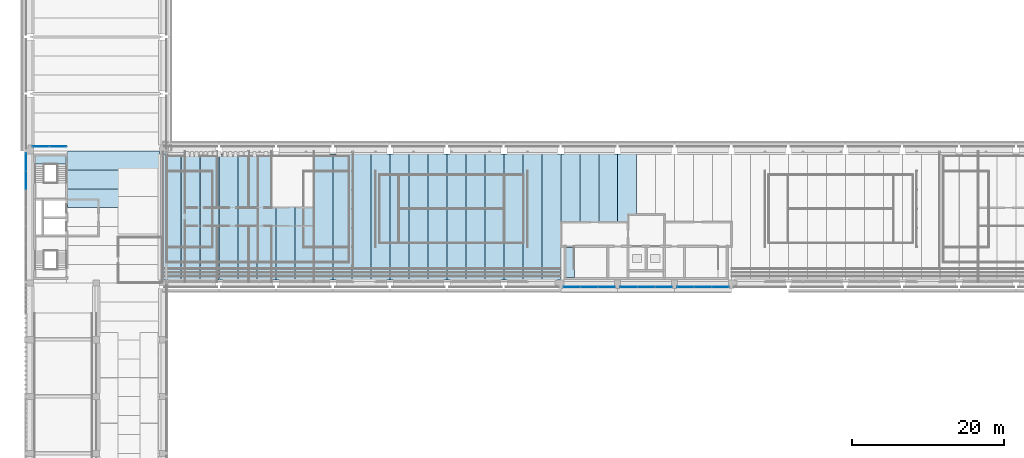
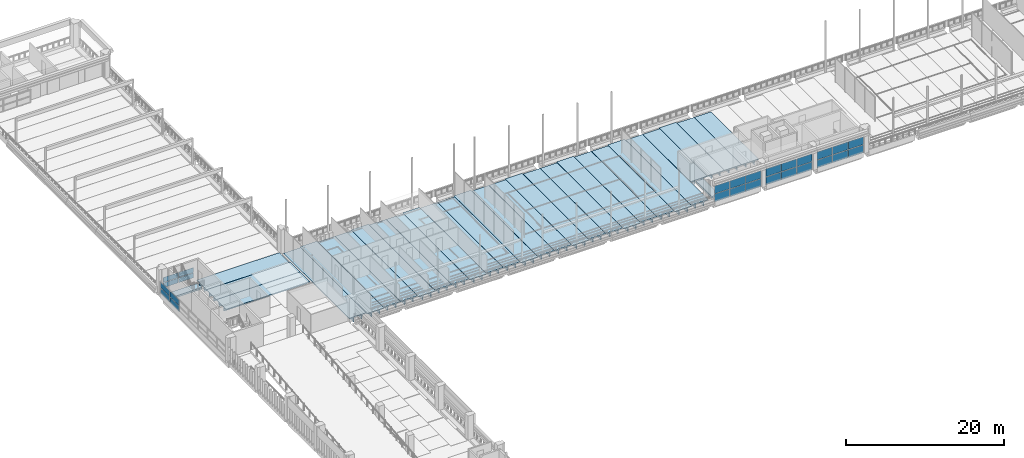
# One storey, part 35 of 62: 30 slabs, 26 plates, 5 elements without a shape of their own.
"""IFC4 building model written with IfcOpenShell, lengths in metres."""

from ifc_helpers import new_model, si_unit, direction, frame, origin, origin_2d, place, context, subcontext, project, spatial, polyline, rectangle, outline, extrude, material, layer, layer_set, material_profile, profile_set, type_object, element, aggregate, save


model = new_model("IFC4")

# Units and contexts
model_context = context("Model", 3, precision=1e-05, world=origin(), true_north=direction((0.0, 1.0)))
body_context = subcontext(model_context, "Body", "Model", "MODEL_VIEW")
ifc_project = project(units=[si_unit("LENGTHUNIT", "METRE"), si_unit("AREAUNIT", "SQUARE_METRE"), si_unit("VOLUMEUNIT", "CUBIC_METRE"), si_unit("PLANEANGLEUNIT", "RADIAN"), si_unit("MASSUNIT", "GRAM", prefix="KILO")], contexts=[model_context])

# Site, building, storey
site_placement = place(None, origin())
site = spatial("IfcSite", under=ifc_project, at=site_placement, CompositionType="ELEMENT")
building_placement = place(site_placement, origin())
building = spatial("IfcBuilding", under=site, at=building_placement, Name="Cour d'Honneur Mobility Palace", CompositionType="ELEMENT")
storey_placement = place(building_placement, frame((0.0, 0.0, 19.300048828125)))
storey = spatial("IfcBuildingStorey", under=building, at=storey_placement, Name="L05", CompositionType="ELEMENT", Elevation=19.300048828125)

# Slabs
ifc_material_1 = material(Name="Concrete C50", Category="concrete")
ifc_layer_1 = layer(ifc_material_1, 0.25)
ifc_layer_set_1 = layer_set([ifc_layer_1], Name="Concrete C50")
slab_type_1 = type_object("IfcSlabType", Name="Cast-in-place Slab 250", PredefinedType="FLOOR", material=ifc_layer_set_1)
slab_1_placement = place(storey_placement, frame((0.0, 0.0, -0.25)))
element("IfcSlab", 1, at=slab_1_placement, inside=storey, type_object=slab_type_1, Name="Cast-in-place slab S1 L05 core", PredefinedType="FLOOR", context=body_context, shape_type="SweptSolid", body=[
    extrude(outline(polyline([(4.675048828125, 60.625), (0.699951171875, 60.625), (0.699951171875, 61.699951171875), (4.675048828125, 61.699951171875), (4.675048828125, 60.625)])), origin(), (0.0, 0.0, 1.0), 0.25),
])
slab_2_placement = place(storey_placement, frame((0.0, 0.0, -0.25)))
element("IfcSlab", 2, at=slab_2_placement, inside=storey, type_object=slab_type_1, Name="Cast-in-place slab S1 L05 core", PredefinedType="FLOOR", context=body_context, shape_type="SweptSolid", body=[
    extrude(outline(polyline([(71.675048828125, 49.675048828125), (71.675048828125, 45.699951171875), (70.60009765625, 45.699951171875), (70.60009765625, 49.675048828125), (71.675048828125, 49.675048828125)])), origin(), (0.0, 0.0, 1.0), 0.25),
])

# Curtain wall, plates
ifc_material_2 = material(Name="Aluminium and glass", Category="aluminium")
ifc_layer_2 = layer(ifc_material_2, 0.10009765625)
ifc_layer_set_2 = layer_set([ifc_layer_2], Name="Aluminium and glass")
curtain_wall_type = type_object("IfcCurtainWallType", Name="Curtain wall run", PredefinedType="NOTDEFINED", material=ifc_layer_set_2)
curtain_wall_1_placement = place(storey_placement, origin())
curtain_wall_1 = element("IfcCurtainWall", 3, at=curtain_wall_1_placement, inside=storey, type_object=curtain_wall_type, Name="Curtain wall CW-84", PredefinedType="NOTDEFINED")
ifc_material_3 = material(Name="Double glazing", Category="glass")
ifc_layer_3 = layer(ifc_material_3, 0.028076171875)
ifc_layer_set_3 = layer_set([ifc_layer_3], Name="Double glazing")
plate_type = type_object("IfcPlateType", Name="Curtain wall panel", PredefinedType="CURTAIN_PANEL", material=ifc_layer_set_3)
plate_1_placement = place(storey_placement, frame((71.364990234375, 44.449951171875, 0.06005859375), z_axis=(0.0, 0.0, 1.0), x_axis=(1.0, 0.0, 0.0)))
plate_1 = element("IfcPlate", 4, at=plate_1_placement, type_object=plate_type, Name="CW-84 panel 1.1", PredefinedType="CURTAIN_PANEL", context=body_context, shape_type="SweptSolid", body=[
    extrude(rectangle(XDim=2.2099609375, YDim=0.028076171875, at=origin_2d()), origin(), (0.0, 0.0, 1.0), 1.2099609375),
])
plate_2_placement = place(storey_placement, frame((71.364990234375, 44.449951171875, 1.330078125), z_axis=(0.0, 0.0, 1.0), x_axis=(1.0, 0.0, 0.0)))
plate_2 = element("IfcPlate", 5, at=plate_2_placement, type_object=plate_type, Name="CW-84 panel 1.2", PredefinedType="CURTAIN_PANEL", context=body_context, shape_type="SweptSolid", body=[
    extrude(rectangle(XDim=2.2099609375, YDim=0.028076171875, at=origin_2d()), origin(), (0.0, 0.0, 1.0), 1.2099609375),
])
plate_3_placement = place(storey_placement, frame((73.64990234375, 44.449951171875, 0.06005859375), z_axis=(0.0, 0.0, 1.0), x_axis=(1.0, 0.0, 0.0)))
plate_3 = element("IfcPlate", 6, at=plate_3_placement, type_object=plate_type, Name="CW-84 panel 2.1", PredefinedType="CURTAIN_PANEL", context=body_context, shape_type="SweptSolid", body=[
    extrude(rectangle(XDim=2.239990234375, YDim=0.028076171875, at=origin_2d()), origin(), (0.0, 0.0, 1.0), 1.2099609375),
])
plate_4_placement = place(storey_placement, frame((73.64990234375, 44.449951171875, 1.330078125), z_axis=(0.0, 0.0, 1.0), x_axis=(1.0, 0.0, 0.0)))
plate_4 = element("IfcPlate", 7, at=plate_4_placement, type_object=plate_type, Name="CW-84 panel 2.2", PredefinedType="CURTAIN_PANEL", context=body_context, shape_type="SweptSolid", body=[
    extrude(rectangle(XDim=2.239990234375, YDim=0.028076171875, at=origin_2d()), origin(), (0.0, 0.0, 1.0), 1.2099609375),
])
plate_5_placement = place(storey_placement, frame((75.93505859375, 44.449951171875, 0.06005859375), z_axis=(0.0, 0.0, 1.0), x_axis=(1.0, 0.0, 0.0)))
plate_5 = element("IfcPlate", 8, at=plate_5_placement, type_object=plate_type, Name="CW-84 panel 3.1", PredefinedType="CURTAIN_PANEL", context=body_context, shape_type="SweptSolid", body=[
    extrude(rectangle(XDim=2.2099609375, YDim=0.028076171875, at=origin_2d()), origin(), (0.0, 0.0, 1.0), 1.2099609375),
])
plate_6_placement = place(storey_placement, frame((75.93505859375, 44.449951171875, 1.330078125), z_axis=(0.0, 0.0, 1.0), x_axis=(1.0, 0.0, 0.0)))
plate_6 = element("IfcPlate", 9, at=plate_6_placement, type_object=plate_type, Name="CW-84 panel 3.2", PredefinedType="CURTAIN_PANEL", context=body_context, shape_type="SweptSolid", body=[
    extrude(rectangle(XDim=2.2099609375, YDim=0.028076171875, at=origin_2d()), origin(), (0.0, 0.0, 1.0), 1.2099609375),
])
aggregate(curtain_wall_1, [plate_1, plate_2, plate_3, plate_4, plate_5, plate_6])

curtain_wall_2_placement = place(storey_placement, origin())
curtain_wall_2 = element("IfcCurtainWall", 10, at=curtain_wall_2_placement, inside=storey, type_object=curtain_wall_type, Name="Curtain wall CW-85", PredefinedType="NOTDEFINED")
plate_7_placement = place(storey_placement, frame((78.864990234375, 44.449951171875, 0.06005859375), z_axis=(0.0, 0.0, 1.0), x_axis=(1.0, 0.0, 0.0)))
plate_7 = element("IfcPlate", 11, at=plate_7_placement, type_object=plate_type, Name="CW-85 panel 1.1", PredefinedType="CURTAIN_PANEL", context=body_context, shape_type="SweptSolid", body=[
    extrude(rectangle(XDim=2.2099609375, YDim=0.028076171875, at=origin_2d()), origin(), (0.0, 0.0, 1.0), 1.2099609375),
])
plate_8_placement = place(storey_placement, frame((78.864990234375, 44.449951171875, 1.330078125), z_axis=(0.0, 0.0, 1.0), x_axis=(1.0, 0.0, 0.0)))
plate_8 = element("IfcPlate", 12, at=plate_8_placement, type_object=plate_type, Name="CW-85 panel 1.2", PredefinedType="CURTAIN_PANEL", context=body_context, shape_type="SweptSolid", body=[
    extrude(rectangle(XDim=2.2099609375, YDim=0.028076171875, at=origin_2d()), origin(), (0.0, 0.0, 1.0), 1.2099609375),
])
plate_9_placement = place(storey_placement, frame((81.14990234375, 44.449951171875, 0.06005859375), z_axis=(0.0, 0.0, 1.0), x_axis=(1.0, 0.0, 0.0)))
plate_9 = element("IfcPlate", 13, at=plate_9_placement, type_object=plate_type, Name="CW-85 panel 2.1", PredefinedType="CURTAIN_PANEL", context=body_context, shape_type="SweptSolid", body=[
    extrude(rectangle(XDim=2.239990234375, YDim=0.028076171875, at=origin_2d()), origin(), (0.0, 0.0, 1.0), 1.2099609375),
])
plate_10_placement = place(storey_placement, frame((81.14990234375, 44.449951171875, 1.330078125), z_axis=(0.0, 0.0, 1.0), x_axis=(1.0, 0.0, 0.0)))
plate_10 = element("IfcPlate", 14, at=plate_10_placement, type_object=plate_type, Name="CW-85 panel 2.2", PredefinedType="CURTAIN_PANEL", context=body_context, shape_type="SweptSolid", body=[
    extrude(rectangle(XDim=2.239990234375, YDim=0.028076171875, at=origin_2d()), origin(), (0.0, 0.0, 1.0), 1.2099609375),
])
plate_11_placement = place(storey_placement, frame((83.43505859375, 44.449951171875, 0.06005859375), z_axis=(0.0, 0.0, 1.0), x_axis=(1.0, 0.0, 0.0)))
plate_11 = element("IfcPlate", 15, at=plate_11_placement, type_object=plate_type, Name="CW-85 panel 3.1", PredefinedType="CURTAIN_PANEL", context=body_context, shape_type="SweptSolid", body=[
    extrude(rectangle(XDim=2.2099609375, YDim=0.028076171875, at=origin_2d()), origin(), (0.0, 0.0, 1.0), 1.2099609375),
])
plate_12_placement = place(storey_placement, frame((83.43505859375, 44.449951171875, 1.330078125), z_axis=(0.0, 0.0, 1.0), x_axis=(1.0, 0.0, 0.0)))
plate_12 = element("IfcPlate", 16, at=plate_12_placement, type_object=plate_type, Name="CW-85 panel 3.2", PredefinedType="CURTAIN_PANEL", context=body_context, shape_type="SweptSolid", body=[
    extrude(rectangle(XDim=2.2099609375, YDim=0.028076171875, at=origin_2d()), origin(), (0.0, 0.0, 1.0), 1.2099609375),
])
aggregate(curtain_wall_2, [plate_7, plate_8, plate_9, plate_10, plate_11, plate_12])

curtain_wall_3_placement = place(storey_placement, origin())
curtain_wall_3 = element("IfcCurtainWall", 17, at=curtain_wall_3_placement, inside=storey, type_object=curtain_wall_type, Name="Curtain wall CW-86", PredefinedType="NOTDEFINED")
plate_13_placement = place(storey_placement, frame((86.364990234375, 44.449951171875, 0.06005859375), z_axis=(0.0, 0.0, 1.0), x_axis=(1.0, 0.0, 0.0)))
plate_13 = element("IfcPlate", 18, at=plate_13_placement, type_object=plate_type, Name="CW-86 panel 1.1", PredefinedType="CURTAIN_PANEL", context=body_context, shape_type="SweptSolid", body=[
    extrude(rectangle(XDim=2.2099609375, YDim=0.028076171875, at=origin_2d()), origin(), (0.0, 0.0, 1.0), 1.2099609375),
])
plate_14_placement = place(storey_placement, frame((86.364990234375, 44.449951171875, 1.330078125), z_axis=(0.0, 0.0, 1.0), x_axis=(1.0, 0.0, 0.0)))
plate_14 = element("IfcPlate", 19, at=plate_14_placement, type_object=plate_type, Name="CW-86 panel 1.2", PredefinedType="CURTAIN_PANEL", context=body_context, shape_type="SweptSolid", body=[
    extrude(rectangle(XDim=2.2099609375, YDim=0.028076171875, at=origin_2d()), origin(), (0.0, 0.0, 1.0), 1.2099609375),
])
plate_15_placement = place(storey_placement, frame((88.64990234375, 44.449951171875, 0.06005859375), z_axis=(0.0, 0.0, 1.0), x_axis=(1.0, 0.0, 0.0)))
plate_15 = element("IfcPlate", 20, at=plate_15_placement, type_object=plate_type, Name="CW-86 panel 2.1", PredefinedType="CURTAIN_PANEL", context=body_context, shape_type="SweptSolid", body=[
    extrude(rectangle(XDim=2.239990234375, YDim=0.028076171875, at=origin_2d()), origin(), (0.0, 0.0, 1.0), 1.2099609375),
])
plate_16_placement = place(storey_placement, frame((88.64990234375, 44.449951171875, 1.330078125), z_axis=(0.0, 0.0, 1.0), x_axis=(1.0, 0.0, 0.0)))
plate_16 = element("IfcPlate", 21, at=plate_16_placement, type_object=plate_type, Name="CW-86 panel 2.2", PredefinedType="CURTAIN_PANEL", context=body_context, shape_type="SweptSolid", body=[
    extrude(rectangle(XDim=2.239990234375, YDim=0.028076171875, at=origin_2d()), origin(), (0.0, 0.0, 1.0), 1.2099609375),
])
plate_17_placement = place(storey_placement, frame((90.93505859375, 44.449951171875, 0.06005859375), z_axis=(0.0, 0.0, 1.0), x_axis=(1.0, 0.0, 0.0)))
plate_17 = element("IfcPlate", 22, at=plate_17_placement, type_object=plate_type, Name="CW-86 panel 3.1", PredefinedType="CURTAIN_PANEL", context=body_context, shape_type="SweptSolid", body=[
    extrude(rectangle(XDim=2.2099609375, YDim=0.028076171875, at=origin_2d()), origin(), (0.0, 0.0, 1.0), 1.2099609375),
])
plate_18_placement = place(storey_placement, frame((90.93505859375, 44.449951171875, 1.330078125), z_axis=(0.0, 0.0, 1.0), x_axis=(1.0, 0.0, 0.0)))
plate_18 = element("IfcPlate", 23, at=plate_18_placement, type_object=plate_type, Name="CW-86 panel 3.2", PredefinedType="CURTAIN_PANEL", context=body_context, shape_type="SweptSolid", body=[
    extrude(rectangle(XDim=2.2099609375, YDim=0.028076171875, at=origin_2d()), origin(), (0.0, 0.0, 1.0), 1.2099609375),
])
aggregate(curtain_wall_3, [plate_13, plate_14, plate_15, plate_16, plate_17, plate_18])

curtain_wall_4_placement = place(storey_placement, origin())
curtain_wall_4 = element("IfcCurtainWall", 24, at=curtain_wall_4_placement, inside=storey, type_object=curtain_wall_type, Name="Curtain wall CW-104", PredefinedType="NOTDEFINED")
plate_19_placement = place(storey_placement, frame((3.659912109375, 62.949951171875, 0.06005859375), z_axis=(0.0, 0.0, 1.0), x_axis=(-1.0, 0.0, 0.0)))
plate_19 = element("IfcPlate", 25, at=plate_19_placement, type_object=plate_type, Name="CW-104 panel 1.1", PredefinedType="CURTAIN_PANEL", context=body_context, shape_type="SweptSolid", body=[
    extrude(rectangle(XDim=2.159912109375, YDim=0.028076171875, at=origin_2d()), origin(), (0.0, 0.0, 1.0), 0.760009765625),
])
plate_20_placement = place(storey_placement, frame((3.659912109375, 62.949951171875, 0.8798828125), z_axis=(0.0, 0.0, 1.0), x_axis=(-1.0, 0.0, 0.0)))
plate_20 = element("IfcPlate", 26, at=plate_20_placement, type_object=plate_type, Name="CW-104 panel 1.2", PredefinedType="CURTAIN_PANEL", context=body_context, shape_type="SweptSolid", body=[
    extrude(rectangle(XDim=2.159912109375, YDim=0.028076171875, at=origin_2d()), origin(), (0.0, 0.0, 1.0), 0.760009765625),
])
plate_21_placement = place(storey_placement, frame((1.43994140625, 62.949951171875, 0.06005859375), z_axis=(0.0, 0.0, 1.0), x_axis=(-1.0, 0.0, 0.0)))
plate_21 = element("IfcPlate", 27, at=plate_21_placement, type_object=plate_type, Name="CW-104 panel 2.1", PredefinedType="CURTAIN_PANEL", context=body_context, shape_type="SweptSolid", body=[
    extrude(rectangle(XDim=2.159912109375, YDim=0.028076171875, at=origin_2d()), origin(), (0.0, 0.0, 1.0), 0.760009765625),
])
plate_22_placement = place(storey_placement, frame((1.43994140625, 62.949951171875, 0.8798828125), z_axis=(0.0, 0.0, 1.0), x_axis=(-1.0, 0.0, 0.0)))
plate_22 = element("IfcPlate", 28, at=plate_22_placement, type_object=plate_type, Name="CW-104 panel 2.2", PredefinedType="CURTAIN_PANEL", context=body_context, shape_type="SweptSolid", body=[
    extrude(rectangle(XDim=2.159912109375, YDim=0.028076171875, at=origin_2d()), origin(), (0.0, 0.0, 1.0), 0.760009765625),
])
aggregate(curtain_wall_4, [plate_19, plate_20, plate_21, plate_22])

curtain_wall_5_placement = place(storey_placement, origin())
curtain_wall_5 = element("IfcCurtainWall", 29, at=curtain_wall_5_placement, inside=storey, type_object=curtain_wall_type, Name="Curtain wall CW-105", PredefinedType="NOTDEFINED")
plate_23_placement = place(storey_placement, frame((-0.550048828125, 60.885009765625, 0.06005859375), z_axis=(0.0, 0.0, 1.0), x_axis=(0.0, -1.0, 0.0)))
plate_23 = element("IfcPlate", 30, at=plate_23_placement, type_object=plate_type, Name="CW-105 panel 1.1", PredefinedType="CURTAIN_PANEL", context=body_context, shape_type="SweptSolid", body=[
    extrude(rectangle(XDim=2.31005859375, YDim=0.028076171875, at=origin_2d()), origin(), (0.0, 0.0, 1.0), 0.860107421875),
])
plate_24_placement = place(storey_placement, frame((-0.550048828125, 60.885009765625, 0.97998046875), z_axis=(0.0, 0.0, 1.0), x_axis=(0.0, -1.0, 0.0)))
plate_24 = element("IfcPlate", 31, at=plate_24_placement, type_object=plate_type, Name="CW-105 panel 1.2", PredefinedType="CURTAIN_PANEL", context=body_context, shape_type="SweptSolid", body=[
    extrude(rectangle(XDim=2.31005859375, YDim=0.028076171875, at=origin_2d()), origin(), (0.0, 0.0, 1.0), 0.860107421875),
])
plate_25_placement = place(storey_placement, frame((-0.550048828125, 58.5, 0.06005859375), z_axis=(0.0, 0.0, 1.0), x_axis=(0.0, -1.0, 0.0)))
plate_25 = element("IfcPlate", 32, at=plate_25_placement, type_object=plate_type, Name="CW-105 panel 2.1", PredefinedType="CURTAIN_PANEL", context=body_context, shape_type="SweptSolid", body=[
    extrude(rectangle(XDim=2.340087890625, YDim=0.028076171875, at=origin_2d()), origin(), (0.0, 0.0, 1.0), 0.860107421875),
])
plate_26_placement = place(storey_placement, frame((-0.550048828125, 58.5, 0.97998046875), z_axis=(0.0, 0.0, 1.0), x_axis=(0.0, -1.0, 0.0)))
plate_26 = element("IfcPlate", 33, at=plate_26_placement, type_object=plate_type, Name="CW-105 panel 2.2", PredefinedType="CURTAIN_PANEL", context=body_context, shape_type="SweptSolid", body=[
    extrude(rectangle(XDim=2.340087890625, YDim=0.028076171875, at=origin_2d()), origin(), (0.0, 0.0, 1.0), 0.860107421875),
])
aggregate(curtain_wall_5, [plate_23, plate_24, plate_25, plate_26])

# Slabs
ifc_material_4 = material(Name="Concrete C45", Category="concrete")
ifc_material_profile_1 = material_profile(ifc_material_4, outline(polyline([(-1.2451171875, 0.0), (1.2451171875, 0.0), (1.2451171875, -0.10009765625), (0.679931640625, -0.10009765625), (0.64990234375, -0.64990234375), (0.550048828125, -0.64990234375), (0.52001953125, -0.10009765625), (-0.52001953125, -0.10009765625), (-0.550048828125, -0.64990234375), (-0.64990234375, -0.64990234375), (-0.679931640625, -0.10009765625), (-1.2451171875, -0.10009765625), (-1.2451171875, 0.0)])), Name="DT 2490x650")
ifc_profile_set_1 = profile_set([ifc_material_profile_1], Name="Concrete C45")
slab_type_2 = type_object("IfcSlabType", Name="DT 2490x650", PredefinedType="FLOOR", material=ifc_profile_set_1)
for number, where, z_axis, x_axis, name in (
    (34, (4.925048828125, 56.14990234375, 0.0), (1.0, 0.0, 0.0), (0.0, 1.0, 0.0), "Double tee DT-JW4 L05"),
    (35, (4.925048828125, 58.64990234375, 0.0), (1.0, 0.0, 0.0), (0.0, 1.0, 0.0), "Double tee DT-JW5 L05"),
):
    element("IfcSlab", number, at=place(storey_placement, frame(where, z_axis=z_axis, x_axis=x_axis)), inside=storey, type_object=slab_type_2, Name=name, PredefinedType="FLOOR", context=body_context, shape_type="SweptSolid", body=[
        extrude(outline(polyline([(-1.2451171875, 0.0), (1.2451171875, 0.0), (1.2451171875, -0.10009765625), (0.679931640625, -0.10009765625), (0.64990234375, -0.64990234375), (0.550048828125, -0.64990234375), (0.52001953125, -0.10009765625), (-0.52001953125, -0.10009765625), (-0.550048828125, -0.64990234375), (-0.64990234375, -0.64990234375), (-0.679931640625, -0.10009765625), (-1.2451171875, -0.10009765625), (-1.2451171875, 0.0)])), origin(), (0.0, 0.0, 1.0), 12.224853515625),
    ])
for number, where, z_axis, x_axis, name in (
    (36, (4.925048828125, 61.14990234375, 0.0), (1.0, 0.0, 0.0), (0.0, 1.0, 0.0), "Double tee DT-JW6 L05"),
    (37, (71.14990234375, 49.925048828125, 0.0), (0.0, 1.0, 0.0), (-1.0, 0.0, 0.0), "Double tee DT-C22 L05"),
):
    element("IfcSlab", number, at=place(storey_placement, frame(where, z_axis=z_axis, x_axis=x_axis)), inside=storey, type_object=slab_type_2, Name=name, PredefinedType="FLOOR", context=body_context, shape_type="SweptSolid", body=[
        extrude(outline(polyline([(-1.2451171875, 0.0), (1.2451171875, 0.0), (1.2451171875, -0.10009765625), (0.679931640625, -0.10009765625), (0.64990234375, -0.64990234375), (0.550048828125, -0.64990234375), (0.52001953125, -0.10009765625), (-0.52001953125, -0.10009765625), (-0.550048828125, -0.64990234375), (-0.64990234375, -0.64990234375), (-0.679931640625, -0.10009765625), (-1.2451171875, -0.10009765625), (-1.2451171875, 0.0)])), origin(), (0.0, 0.0, 1.0), 12.074951171875),
    ])
slab_3_placement = place(storey_placement, frame((73.64990234375, 49.925048828125, 0.0), z_axis=(0.0, 1.0, 0.0), x_axis=(-1.0, 0.0, 0.0)))
element("IfcSlab", 38, at=slab_3_placement, inside=storey, type_object=slab_type_2, Name="Double tee DT-C23 L05", PredefinedType="FLOOR", context=body_context, shape_type="SweptSolid", body=[
    extrude(outline(polyline([(-1.2451171875, 0.0), (1.2451171875, 0.0), (1.2451171875, -0.10009765625), (0.679931640625, -0.10009765625), (0.64990234375, -0.64990234375), (0.550048828125, -0.64990234375), (0.52001953125, -0.10009765625), (-0.52001953125, -0.10009765625), (-0.550048828125, -0.64990234375), (-0.64990234375, -0.64990234375), (-0.679931640625, -0.10009765625), (-1.2451171875, -0.10009765625), (-1.2451171875, 0.0)])), origin(), (0.0, 0.0, 1.0), 12.27490234375),
])
for number, where, z_axis, x_axis, name in (
    (39, (76.14990234375, 49.925048828125, 0.0), (0.0, 1.0, 0.0), (-1.0, 0.0, 0.0), "Double tee DT-C24 L05"),
    (40, (78.64990234375, 49.925048828125, 0.0), (0.0, 1.0, 0.0), (-1.0, 0.0, 0.0), "Double tee DT-C25 L05"),
):
    element("IfcSlab", number, at=place(storey_placement, frame(where, z_axis=z_axis, x_axis=x_axis)), inside=storey, type_object=slab_type_2, Name=name, PredefinedType="FLOOR", context=body_context, shape_type="SweptSolid", body=[
        extrude(outline(polyline([(-1.2451171875, 0.0), (1.2451171875, 0.0), (1.2451171875, -0.10009765625), (0.679931640625, -0.10009765625), (0.64990234375, -0.64990234375), (0.550048828125, -0.64990234375), (0.52001953125, -0.10009765625), (-0.52001953125, -0.10009765625), (-0.550048828125, -0.64990234375), (-0.64990234375, -0.64990234375), (-0.679931640625, -0.10009765625), (-1.2451171875, -0.10009765625), (-1.2451171875, 0.0)])), origin(), (0.0, 0.0, 1.0), 12.074951171875),
    ])
ifc_material_5 = material(Name="Concrete C45", Category="concrete")
ifc_material_profile_2 = material_profile(ifc_material_5, outline(polyline([(-1.2451171875, 0.0), (1.2451171875, 0.0), (1.2451171875, -0.10009765625), (0.679931640625, -0.10009765625), (0.64990234375, -0.75), (0.550048828125, -0.75), (0.52001953125, -0.10009765625), (-0.52001953125, -0.10009765625), (-0.550048828125, -0.75), (-0.64990234375, -0.75), (-0.679931640625, -0.10009765625), (-1.2451171875, -0.10009765625), (-1.2451171875, 0.0)])), Name="DT 2490x750")
ifc_profile_set_2 = profile_set([ifc_material_profile_2], Name="Concrete C45")
slab_type_3 = type_object("IfcSlabType", Name="DT 2490x750", PredefinedType="FLOOR", material=ifc_profile_set_2)
slab_4_placement = place(storey_placement, frame((18.64990234375, 45.39990234375, 0.0), z_axis=(0.0, 1.0, 0.0), x_axis=(-1.0, 0.0, 0.0)))
element("IfcSlab", 41, at=slab_4_placement, inside=storey, type_object=slab_type_3, Name="Double tee DT-C1 L05", PredefinedType="FLOOR", context=body_context, shape_type="SweptSolid", body=[
    extrude(outline(polyline([(-1.2451171875, 0.0), (1.2451171875, 0.0), (1.2451171875, -0.10009765625), (0.679931640625, -0.10009765625), (0.64990234375, -0.75), (0.550048828125, -0.75), (0.52001953125, -0.10009765625), (-0.52001953125, -0.10009765625), (-0.550048828125, -0.75), (-0.64990234375, -0.75), (-0.679931640625, -0.10009765625), (-1.2451171875, -0.10009765625), (-1.2451171875, 0.0)])), origin(), (0.0, 0.0, 1.0), 16.60009765625),
])
slab_5_placement = place(storey_placement, frame((21.14990234375, 45.199951171875, 0.0), z_axis=(0.0, 1.0, 0.0), x_axis=(-1.0, 0.0, 0.0)))
element("IfcSlab", 42, at=slab_5_placement, inside=storey, type_object=slab_type_3, Name="Double tee DT-C2 L05", PredefinedType="FLOOR", context=body_context, shape_type="SweptSolid", body=[
    extrude(outline(polyline([(-1.2451171875, 0.0), (1.2451171875, 0.0), (1.2451171875, -0.10009765625), (0.679931640625, -0.10009765625), (0.64990234375, -0.75), (0.550048828125, -0.75), (0.52001953125, -0.10009765625), (-0.52001953125, -0.10009765625), (-0.550048828125, -0.75), (-0.64990234375, -0.75), (-0.679931640625, -0.10009765625), (-1.2451171875, -0.10009765625), (-1.2451171875, 0.0)])), origin(), (0.0, 0.0, 1.0), 17.0),
])
for number, where, z_axis, x_axis, name in (
    (43, (23.64990234375, 45.39990234375, 0.0), (0.0, 1.0, 0.0), (-1.0, 0.0, 0.0), "Double tee DT-C3 L05"),
    (44, (26.14990234375, 45.39990234375, 0.0), (0.0, 1.0, 0.0), (-1.0, 0.0, 0.0), "Double tee DT-C4 L05"),
):
    element("IfcSlab", number, at=place(storey_placement, frame(where, z_axis=z_axis, x_axis=x_axis)), inside=storey, type_object=slab_type_3, Name=name, PredefinedType="FLOOR", context=body_context, shape_type="SweptSolid", body=[
        extrude(outline(polyline([(-1.2451171875, 0.0), (1.2451171875, 0.0), (1.2451171875, -0.10009765625), (0.679931640625, -0.10009765625), (0.64990234375, -0.75), (0.550048828125, -0.75), (0.52001953125, -0.10009765625), (-0.52001953125, -0.10009765625), (-0.550048828125, -0.75), (-0.64990234375, -0.75), (-0.679931640625, -0.10009765625), (-1.2451171875, -0.10009765625), (-1.2451171875, 0.0)])), origin(), (0.0, 0.0, 1.0), 16.60009765625),
    ])
slab_6_placement = place(storey_placement, frame((28.64990234375, 45.199951171875, 0.0), z_axis=(0.0, 1.0, 0.0), x_axis=(-1.0, 0.0, 0.0)))
element("IfcSlab", 45, at=slab_6_placement, inside=storey, type_object=slab_type_3, Name="Double tee DT-C5 L05", PredefinedType="FLOOR", context=body_context, shape_type="SweptSolid", body=[
    extrude(outline(polyline([(-1.2451171875, 0.0), (1.2451171875, 0.0), (1.2451171875, -0.10009765625), (0.679931640625, -0.10009765625), (0.64990234375, -0.75), (0.550048828125, -0.75), (0.52001953125, -0.10009765625), (-0.52001953125, -0.10009765625), (-0.550048828125, -0.75), (-0.64990234375, -0.75), (-0.679931640625, -0.10009765625), (-1.2451171875, -0.10009765625), (-1.2451171875, 0.0)])), origin(), (0.0, 0.0, 1.0), 17.0),
])
for number, where, z_axis, x_axis, name in (
    (46, (31.14990234375, 45.39990234375, 0.0), (0.0, 1.0, 0.0), (-1.0, 0.0, 0.0), "Double tee DT-C6 L05"),
    (47, (33.64990234375, 45.39990234375, 0.0), (0.0, 1.0, 0.0), (-1.0, 0.0, 0.0), "Double tee DT-C7 L05"),
):
    element("IfcSlab", number, at=place(storey_placement, frame(where, z_axis=z_axis, x_axis=x_axis)), inside=storey, type_object=slab_type_3, Name=name, PredefinedType="FLOOR", context=body_context, shape_type="SweptSolid", body=[
        extrude(outline(polyline([(-1.2451171875, 0.0), (1.2451171875, 0.0), (1.2451171875, -0.10009765625), (0.679931640625, -0.10009765625), (0.64990234375, -0.75), (0.550048828125, -0.75), (0.52001953125, -0.10009765625), (-0.52001953125, -0.10009765625), (-0.550048828125, -0.75), (-0.64990234375, -0.75), (-0.679931640625, -0.10009765625), (-1.2451171875, -0.10009765625), (-1.2451171875, 0.0)])), origin(), (0.0, 0.0, 1.0), 16.60009765625),
    ])
slab_7_placement = place(storey_placement, frame((36.14990234375, 45.199951171875, 0.0), z_axis=(0.0, 1.0, 0.0), x_axis=(-1.0, 0.0, 0.0)))
element("IfcSlab", 48, at=slab_7_placement, inside=storey, type_object=slab_type_3, Name="Double tee DT-C8 L05", PredefinedType="FLOOR", context=body_context, shape_type="SweptSolid", body=[
    extrude(outline(polyline([(-1.2451171875, 0.0), (1.2451171875, 0.0), (1.2451171875, -0.10009765625), (0.679931640625, -0.10009765625), (0.64990234375, -0.75), (0.550048828125, -0.75), (0.52001953125, -0.10009765625), (-0.52001953125, -0.10009765625), (-0.550048828125, -0.75), (-0.64990234375, -0.75), (-0.679931640625, -0.10009765625), (-1.2451171875, -0.10009765625), (-1.2451171875, 0.0)])), origin(), (0.0, 0.0, 1.0), 17.0),
])
for number, where, z_axis, x_axis, name in (
    (49, (38.64990234375, 45.39990234375, 0.0), (0.0, 1.0, 0.0), (-1.0, 0.0, 0.0), "Double tee DT-C9 L05"),
    (50, (41.14990234375, 45.39990234375, 0.0), (0.0, 1.0, 0.0), (-1.0, 0.0, 0.0), "Double tee DT-C10 L05"),
):
    element("IfcSlab", number, at=place(storey_placement, frame(where, z_axis=z_axis, x_axis=x_axis)), inside=storey, type_object=slab_type_3, Name=name, PredefinedType="FLOOR", context=body_context, shape_type="SweptSolid", body=[
        extrude(outline(polyline([(-1.2451171875, 0.0), (1.2451171875, 0.0), (1.2451171875, -0.10009765625), (0.679931640625, -0.10009765625), (0.64990234375, -0.75), (0.550048828125, -0.75), (0.52001953125, -0.10009765625), (-0.52001953125, -0.10009765625), (-0.550048828125, -0.75), (-0.64990234375, -0.75), (-0.679931640625, -0.10009765625), (-1.2451171875, -0.10009765625), (-1.2451171875, 0.0)])), origin(), (0.0, 0.0, 1.0), 16.60009765625),
    ])
slab_8_placement = place(storey_placement, frame((43.64990234375, 45.199951171875, 0.0), z_axis=(0.0, 1.0, 0.0), x_axis=(-1.0, 0.0, 0.0)))
element("IfcSlab", 51, at=slab_8_placement, inside=storey, type_object=slab_type_3, Name="Double tee DT-C11 L05", PredefinedType="FLOOR", context=body_context, shape_type="SweptSolid", body=[
    extrude(outline(polyline([(-1.2451171875, 0.0), (1.2451171875, 0.0), (1.2451171875, -0.10009765625), (0.679931640625, -0.10009765625), (0.64990234375, -0.75), (0.550048828125, -0.75), (0.52001953125, -0.10009765625), (-0.52001953125, -0.10009765625), (-0.550048828125, -0.75), (-0.64990234375, -0.75), (-0.679931640625, -0.10009765625), (-1.2451171875, -0.10009765625), (-1.2451171875, 0.0)])), origin(), (0.0, 0.0, 1.0), 17.0),
])
for number, where, z_axis, x_axis, name in (
    (52, (46.14990234375, 45.39990234375, 0.0), (0.0, 1.0, 0.0), (-1.0, 0.0, 0.0), "Double tee DT-C12 L05"),
    (53, (48.64990234375, 45.39990234375, 0.0), (0.0, 1.0, 0.0), (-1.0, 0.0, 0.0), "Double tee DT-C13 L05"),
):
    element("IfcSlab", number, at=place(storey_placement, frame(where, z_axis=z_axis, x_axis=x_axis)), inside=storey, type_object=slab_type_3, Name=name, PredefinedType="FLOOR", context=body_context, shape_type="SweptSolid", body=[
        extrude(outline(polyline([(-1.2451171875, 0.0), (1.2451171875, 0.0), (1.2451171875, -0.10009765625), (0.679931640625, -0.10009765625), (0.64990234375, -0.75), (0.550048828125, -0.75), (0.52001953125, -0.10009765625), (-0.52001953125, -0.10009765625), (-0.550048828125, -0.75), (-0.64990234375, -0.75), (-0.679931640625, -0.10009765625), (-1.2451171875, -0.10009765625), (-1.2451171875, 0.0)])), origin(), (0.0, 0.0, 1.0), 16.60009765625),
    ])
slab_9_placement = place(storey_placement, frame((51.14990234375, 45.199951171875, 0.0), z_axis=(0.0, 1.0, 0.0), x_axis=(-1.0, 0.0, 0.0)))
element("IfcSlab", 54, at=slab_9_placement, inside=storey, type_object=slab_type_3, Name="Double tee DT-C14 L05", PredefinedType="FLOOR", context=body_context, shape_type="SweptSolid", body=[
    extrude(outline(polyline([(-1.2451171875, 0.0), (1.2451171875, 0.0), (1.2451171875, -0.10009765625), (0.679931640625, -0.10009765625), (0.64990234375, -0.75), (0.550048828125, -0.75), (0.52001953125, -0.10009765625), (-0.52001953125, -0.10009765625), (-0.550048828125, -0.75), (-0.64990234375, -0.75), (-0.679931640625, -0.10009765625), (-1.2451171875, -0.10009765625), (-1.2451171875, 0.0)])), origin(), (0.0, 0.0, 1.0), 17.0),
])
for number, where, z_axis, x_axis, name in (
    (55, (53.64990234375, 45.39990234375, 0.0), (0.0, 1.0, 0.0), (-1.0, 0.0, 0.0), "Double tee DT-C15 L05"),
    (56, (56.14990234375, 45.39990234375, 0.0), (0.0, 1.0, 0.0), (-1.0, 0.0, 0.0), "Double tee DT-C16 L05"),
):
    element("IfcSlab", number, at=place(storey_placement, frame(where, z_axis=z_axis, x_axis=x_axis)), inside=storey, type_object=slab_type_3, Name=name, PredefinedType="FLOOR", context=body_context, shape_type="SweptSolid", body=[
        extrude(outline(polyline([(-1.2451171875, 0.0), (1.2451171875, 0.0), (1.2451171875, -0.10009765625), (0.679931640625, -0.10009765625), (0.64990234375, -0.75), (0.550048828125, -0.75), (0.52001953125, -0.10009765625), (-0.52001953125, -0.10009765625), (-0.550048828125, -0.75), (-0.64990234375, -0.75), (-0.679931640625, -0.10009765625), (-1.2451171875, -0.10009765625), (-1.2451171875, 0.0)])), origin(), (0.0, 0.0, 1.0), 16.60009765625),
    ])
slab_10_placement = place(storey_placement, frame((58.64990234375, 45.199951171875, 0.0), z_axis=(0.0, 1.0, 0.0), x_axis=(-1.0, 0.0, 0.0)))
element("IfcSlab", 57, at=slab_10_placement, inside=storey, type_object=slab_type_3, Name="Double tee DT-C17 L05", PredefinedType="FLOOR", context=body_context, shape_type="SweptSolid", body=[
    extrude(outline(polyline([(-1.2451171875, 0.0), (1.2451171875, 0.0), (1.2451171875, -0.10009765625), (0.679931640625, -0.10009765625), (0.64990234375, -0.75), (0.550048828125, -0.75), (0.52001953125, -0.10009765625), (-0.52001953125, -0.10009765625), (-0.550048828125, -0.75), (-0.64990234375, -0.75), (-0.679931640625, -0.10009765625), (-1.2451171875, -0.10009765625), (-1.2451171875, 0.0)])), origin(), (0.0, 0.0, 1.0), 17.0),
])
for number, where, z_axis, x_axis, name in (
    (58, (61.14990234375, 45.39990234375, 0.0), (0.0, 1.0, 0.0), (-1.0, 0.0, 0.0), "Double tee DT-C18 L05"),
    (59, (63.64990234375, 45.39990234375, 0.0), (0.0, 1.0, 0.0), (-1.0, 0.0, 0.0), "Double tee DT-C19 L05"),
):
    element("IfcSlab", number, at=place(storey_placement, frame(where, z_axis=z_axis, x_axis=x_axis)), inside=storey, type_object=slab_type_3, Name=name, PredefinedType="FLOOR", context=body_context, shape_type="SweptSolid", body=[
        extrude(outline(polyline([(-1.2451171875, 0.0), (1.2451171875, 0.0), (1.2451171875, -0.10009765625), (0.679931640625, -0.10009765625), (0.64990234375, -0.75), (0.550048828125, -0.75), (0.52001953125, -0.10009765625), (-0.52001953125, -0.10009765625), (-0.550048828125, -0.75), (-0.64990234375, -0.75), (-0.679931640625, -0.10009765625), (-1.2451171875, -0.10009765625), (-1.2451171875, 0.0)])), origin(), (0.0, 0.0, 1.0), 16.60009765625),
    ])
slab_11_placement = place(storey_placement, frame((66.14990234375, 45.199951171875, 0.0), z_axis=(0.0, 1.0, 0.0), x_axis=(-1.0, 0.0, 0.0)))
element("IfcSlab", 60, at=slab_11_placement, inside=storey, type_object=slab_type_3, Name="Double tee DT-C20 L05", PredefinedType="FLOOR", context=body_context, shape_type="SweptSolid", body=[
    extrude(outline(polyline([(-1.2451171875, 0.0), (1.2451171875, 0.0), (1.2451171875, -0.10009765625), (0.679931640625, -0.10009765625), (0.64990234375, -0.75), (0.550048828125, -0.75), (0.52001953125, -0.10009765625), (-0.52001953125, -0.10009765625), (-0.550048828125, -0.75), (-0.64990234375, -0.75), (-0.679931640625, -0.10009765625), (-1.2451171875, -0.10009765625), (-1.2451171875, 0.0)])), origin(), (0.0, 0.0, 1.0), 17.0),
])
slab_12_placement = place(storey_placement, frame((68.64990234375, 45.39990234375, 0.0), z_axis=(0.0, 1.0, 0.0), x_axis=(-1.0, 0.0, 0.0)))
element("IfcSlab", 61, at=slab_12_placement, inside=storey, type_object=slab_type_3, Name="Double tee DT-C21 L05", PredefinedType="FLOOR", context=body_context, shape_type="SweptSolid", body=[
    extrude(outline(polyline([(-1.2451171875, 0.0), (1.2451171875, 0.0), (1.2451171875, -0.10009765625), (0.679931640625, -0.10009765625), (0.64990234375, -0.75), (0.550048828125, -0.75), (0.52001953125, -0.10009765625), (-0.52001953125, -0.10009765625), (-0.550048828125, -0.75), (-0.64990234375, -0.75), (-0.679931640625, -0.10009765625), (-1.2451171875, -0.10009765625), (-1.2451171875, 0.0)])), origin(), (0.0, 0.0, 1.0), 16.60009765625),
])

save(model, "model.ifc")
